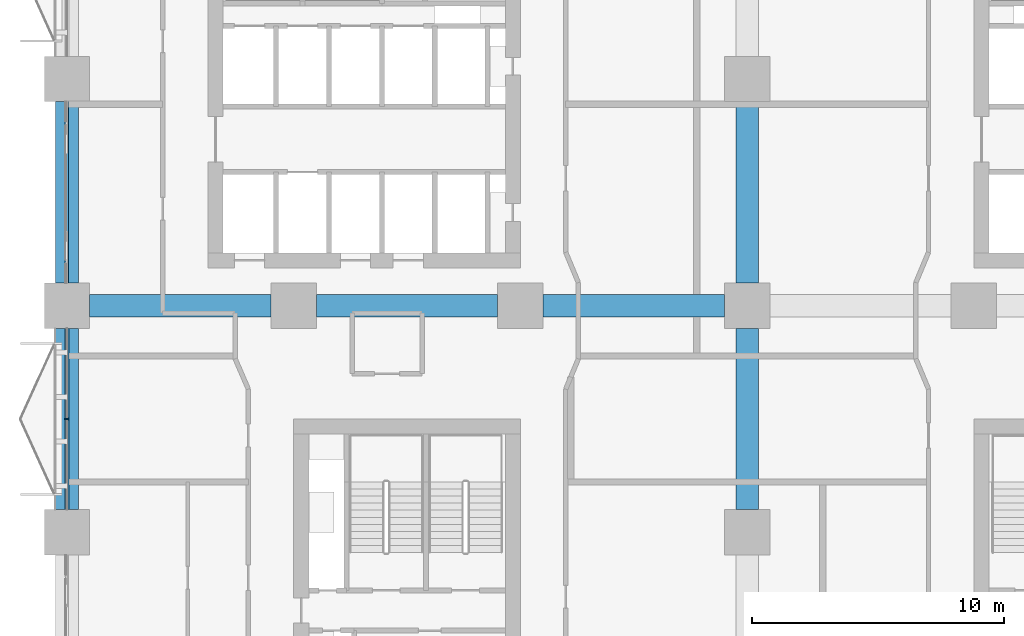
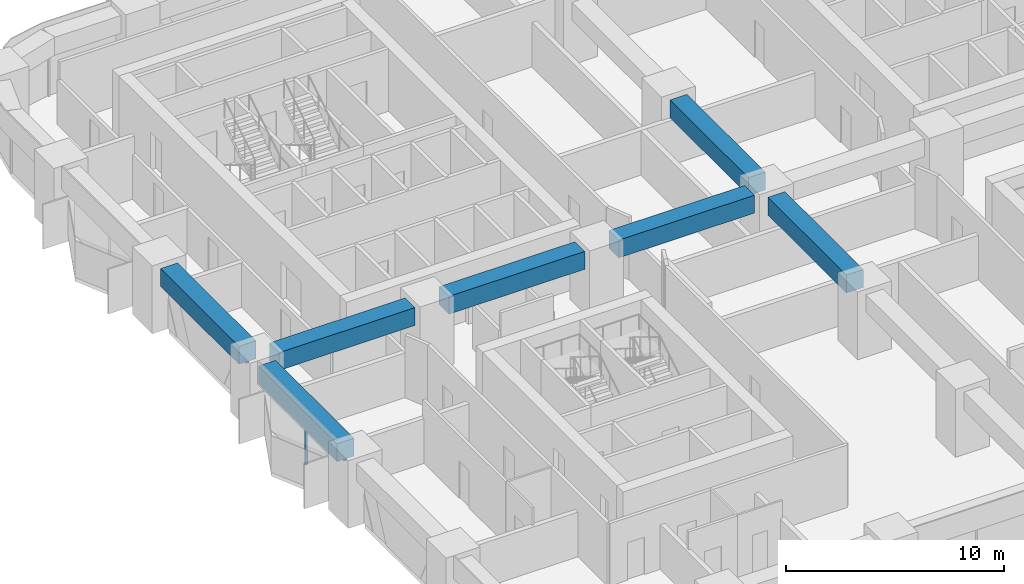
# One storey, part 3 of 21: 7 beams, 3 members, 2 elements without a shape of their own.
"""IFC4 building model written with IfcOpenShell, lengths in metres."""

from ifc_helpers import new_model, si_unit, direction, frame, origin, origin_2d, place, context, subcontext, project, spatial, rectangle, extrude, material, material_profile, profile_set, type_object, element, aggregate, save


model = new_model("IFC4")

# Units and contexts
model_context = context("Model", 3, precision=1e-05, world=origin(), true_north=direction((0.0, 1.0)))
body_context = subcontext(model_context, "Body", "Model", "MODEL_VIEW")
ifc_project = project(units=[si_unit("LENGTHUNIT", "METRE"), si_unit("AREAUNIT", "SQUARE_METRE"), si_unit("VOLUMEUNIT", "CUBIC_METRE"), si_unit("PLANEANGLEUNIT", "RADIAN"), si_unit("MASSUNIT", "GRAM", prefix="KILO")], contexts=[model_context])

# Site, building, storey
site_placement = place(None, origin())
site = spatial("IfcSite", under=ifc_project, at=site_placement, CompositionType="ELEMENT")
building_placement = place(site_placement, origin())
building = spatial("IfcBuilding", under=site, at=building_placement, Name="Tessera Arch", CompositionType="ELEMENT")
storey_placement = place(building_placement, frame((0.0, 0.0, 42.39990234375)))
storey = spatial("IfcBuildingStorey", under=building, at=storey_placement, Name="L08", CompositionType="ELEMENT", Elevation=42.39990234375)

# Curtain wall, members
ifc_material_1 = material(Name="CW1 curtain wall")
curtain_wall_type_1 = type_object("IfcCurtainWallType", Name="CW1 curtain wall", PredefinedType="NOTDEFINED", material=ifc_material_1)
curtain_wall_1_placement = place(storey_placement, origin())
curtain_wall_1 = element("IfcCurtainWall", 1, at=curtain_wall_1_placement, inside=storey, type_object=curtain_wall_type_1, Name="CW1 curtain wall W0.0/3 L08", PredefinedType="NOTDEFINED")
ifc_material_2 = material(Name="Anodised aluminium pale metal", Category="aluminium")
ifc_material_profile_1 = material_profile(ifc_material_2, rectangle(XDim=0.159912109375, YDim=0.06005859375, at=origin_2d()), Name="AL 60x160")
ifc_profile_set_1 = profile_set([ifc_material_profile_1], Name="Anodised aluminium pale metal")
member_type_1 = type_object("IfcMemberType", Name="CW1 mullion", PredefinedType="MULLION", material=ifc_profile_set_1)
member_1_placement = place(storey_placement, frame((0.0, 22.5, 0.0), z_axis=(0.0, 0.0, 1.0), x_axis=(1.0, 0.0, 0.0)))
member_1 = element("IfcMember", 2, at=member_1_placement, type_object=member_type_1, Name="CW1 mullion W0.0/3 1", PredefinedType="MULLION", context=body_context, shape_type="SweptSolid", body=[
    extrude(rectangle(XDim=0.159912109375, YDim=0.06005859375, at=origin_2d()), origin(), (0.0, 0.0, 1.0), 2.400146484375),
])
ifc_material_3 = material(Name="Anodised aluminium pale metal", Category="aluminium")
ifc_material_profile_2 = material_profile(ifc_material_3, rectangle(XDim=0.159912109375, YDim=0.10009765625, at=origin_2d()), Name="AL 160x100")
ifc_profile_set_2 = profile_set([ifc_material_profile_2], Name="Anodised aluminium pale metal")
member_type_2 = type_object("IfcMemberType", Name="CW1 transom", PredefinedType="USERDEFINED", material=ifc_profile_set_2)
member_2_placement = place(storey_placement, frame((0.0, 26.10009765625, 2.4501953125), z_axis=(0.0, -1.0, 0.0), x_axis=(1.0, 0.0, 0.0)))
member_2 = element("IfcMember", 3, at=member_2_placement, type_object=member_type_2, Name="CW1 transom W0.0/3 1.1", ObjectType="TRANSOM", PredefinedType="USERDEFINED", context=body_context, shape_type="SweptSolid", body=[
    extrude(rectangle(XDim=0.159912109375, YDim=0.10009765625, at=origin_2d()), origin(), (0.0, 0.0, 1.0), 7.2001953125),
])
aggregate(curtain_wall_1, [member_1, member_2])

# Curtain wall, member
ifc_material_4 = material(Name="CW3 curtain wall")
curtain_wall_type_2 = type_object("IfcCurtainWallType", Name="CW3 curtain wall", PredefinedType="NOTDEFINED", material=ifc_material_4)
curtain_wall_2_placement = place(storey_placement, origin())
curtain_wall_2 = element("IfcCurtainWall", 4, at=curtain_wall_2_placement, inside=storey, type_object=curtain_wall_type_2, Name="CW3 curtain wall W0.0/2 L08", PredefinedType="NOTDEFINED")
ifc_material_5 = material(Name="Anodised aluminium pale metal", Category="aluminium")
ifc_material_profile_3 = material_profile(ifc_material_5, rectangle(XDim=0.139892578125, YDim=0.10009765625, at=origin_2d()), Name="AL 140x100")
ifc_profile_set_3 = profile_set([ifc_material_profile_3], Name="Anodised aluminium pale metal")
member_type_3 = type_object("IfcMemberType", Name="CW3 transom", PredefinedType="USERDEFINED", material=ifc_profile_set_3)
member_3_placement = place(storey_placement, frame((0.0, 35.10009765625, 2.4501953125), z_axis=(0.0, -1.0, 0.0), x_axis=(1.0, 0.0, 0.0)))
member_3 = element("IfcMember", 5, at=member_3_placement, type_object=member_type_3, Name="CW3 transom W0.0/2 1.1", ObjectType="TRANSOM", PredefinedType="USERDEFINED", context=body_context, shape_type="SweptSolid", body=[
    extrude(rectangle(XDim=0.139892578125, YDim=0.10009765625, at=origin_2d()), origin(), (0.0, 0.0, 1.0), 7.2001953125),
])
aggregate(curtain_wall_2, [member_3])

# Beams
ifc_material_6 = material(Name="Concrete C80/95", Category="concrete")
ifc_material_profile_4 = material_profile(ifc_material_6, rectangle(XDim=0.89990234375, YDim=1.0, at=origin_2d()), Name="RC spandrel beam 900 x 1000 Concrete C80/95")
ifc_profile_set_4 = profile_set([ifc_material_profile_4], Name="Concrete C80/95")
beam_type = type_object("IfcBeamType", Name="RC spandrel beam 900 x 1000 Concrete C80/95", PredefinedType="BEAM", material=ifc_profile_set_4)
for number, where, z_axis, x_axis, name in (
    (6, (0.0, 35.10009765625, 3.0), (0.0, -1.0, 0.0), (1.0, 0.0, 0.0), "Spandrel beam L08 W0.0/2"),
    (7, (0.0, 26.10009765625, 3.0), (0.0, -1.0, 0.0), (1.0, 0.0, 0.0), "Spandrel beam L08 W0.0/3"),
    (8, (27.0, 18.89990234375, 3.0), (0.0, 1.0, 0.0), (-1.0, 0.0, 0.0), "Interface beam L08 I0C4C-C4D"),
    (9, (27.0, 27.89990234375, 3.0), (0.0, 1.0, 0.0), (-1.0, 0.0, 0.0), "Interface beam L08 I0C4D-C4E"),
    (10, (0.89990234375, 27.0, 3.0), (1.0, 0.0, 0.0), (0.0, 1.0, 0.0), "Interface beam L08 I1C1D-C2D"),
    (11, (9.89990234375, 27.0, 3.0), (1.0, 0.0, 0.0), (0.0, 1.0, 0.0), "Interface beam L08 I1C2D-C3D"),
    (12, (18.89990234375, 27.0, 3.0), (1.0, 0.0, 0.0), (0.0, 1.0, 0.0), "Interface beam L08 I1C3D-C4D"),
):
    element("IfcBeam", number, at=place(storey_placement, frame(where, z_axis=z_axis, x_axis=x_axis)), inside=storey, type_object=beam_type, Name=name, PredefinedType="BEAM", context=body_context, shape_type="SweptSolid", body=[
        extrude(rectangle(XDim=0.89990234375, YDim=1.0, at=origin_2d()), origin(), (0.0, 0.0, 1.0), 7.2001953125),
    ])

save(model, "model.ifc")
